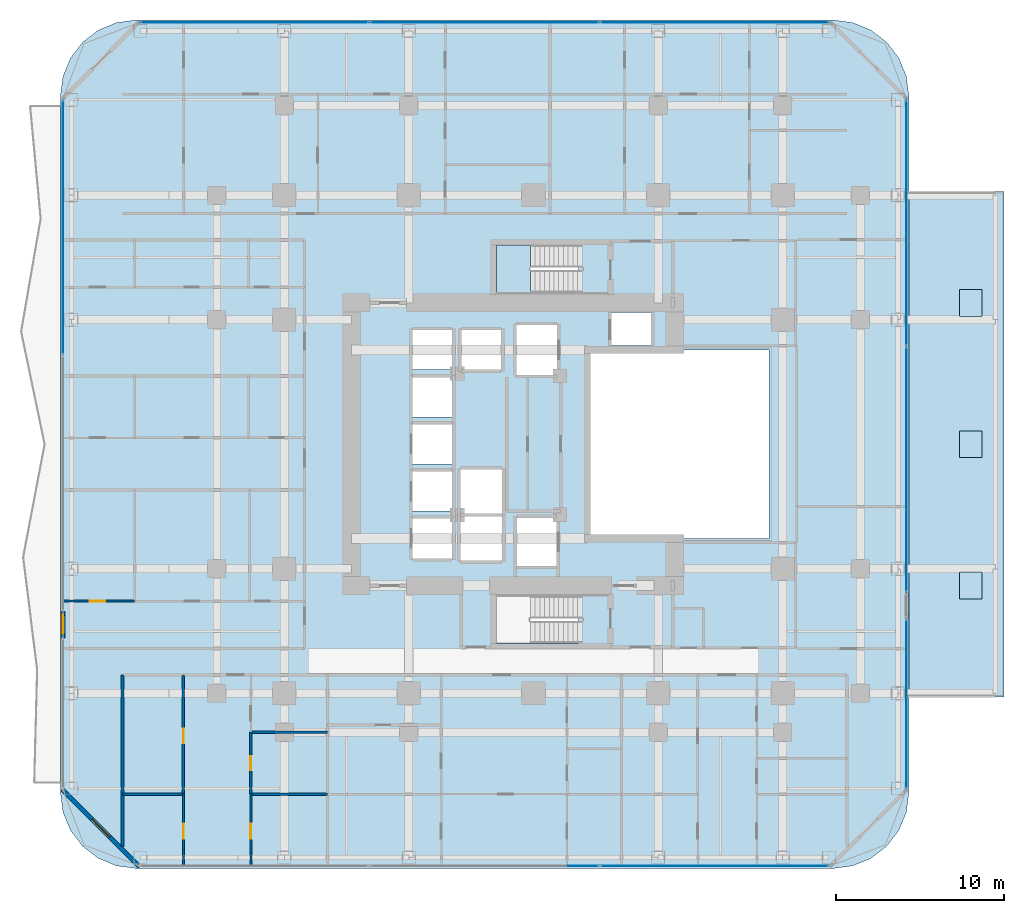
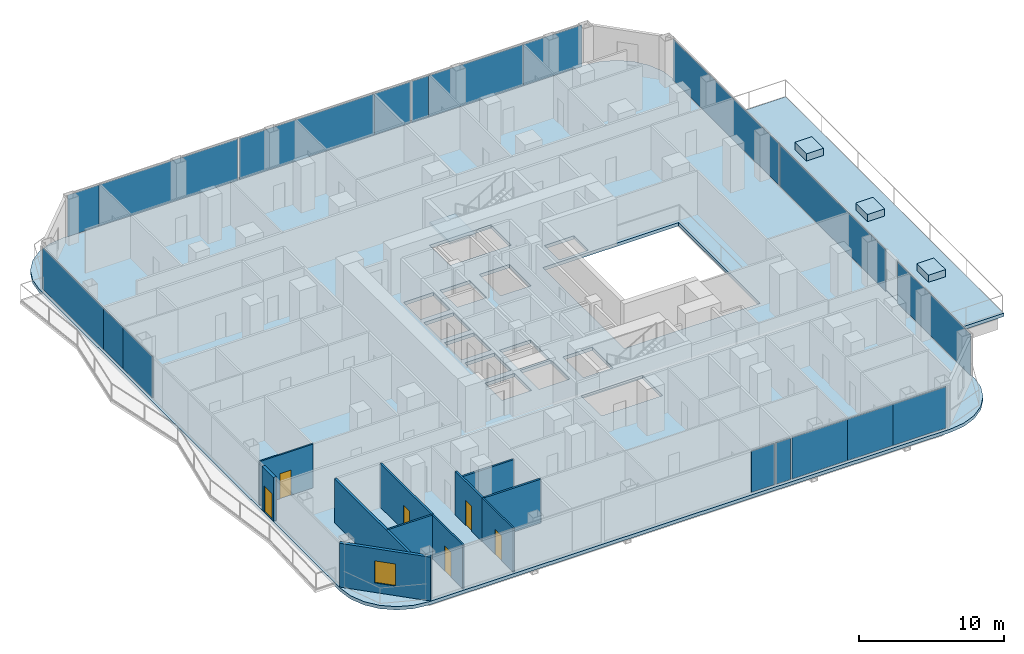
# One storey, part 19 of 29: 18 plates, 11 walls, 6 doors, 6 slabs, 1 window, 7 openings, 6 elements without a shape of their own.
"""IFC4 building model written with IfcOpenShell, lengths in metres."""

from ifc_helpers import new_model, si_unit, direction, frame, frame_2d, origin, origin_2d, place, context, subcontext, project, spatial, polyline, rectangle, outline, extrude, material, layer, layer_set, type_object, element, fill, aggregate, save


model = new_model("IFC4")

# Units and contexts
model_context = context("Model", 3, precision=1e-05, world=origin(), true_north=direction((0.0, 1.0)))
body_context = subcontext(model_context, "Body", "Model", "MODEL_VIEW")
ifc_project = project(units=[si_unit("LENGTHUNIT", "METRE"), si_unit("AREAUNIT", "SQUARE_METRE"), si_unit("VOLUMEUNIT", "CUBIC_METRE"), si_unit("PLANEANGLEUNIT", "RADIAN"), si_unit("MASSUNIT", "GRAM", prefix="KILO")], contexts=[model_context])

# Site, building, storey
site_placement = place(None, origin())
site = spatial("IfcSite", under=ifc_project, at=site_placement, CompositionType="ELEMENT")
building_placement = place(site_placement, origin())
building = spatial("IfcBuilding", under=site, at=building_placement, Name="Khorvyn Point Tower", CompositionType="ELEMENT")
storey_placement = place(building_placement, frame((0.0, 0.0, 54.0)))
storey = spatial("IfcBuildingStorey", under=building, at=storey_placement, Name="L14", CompositionType="ELEMENT", Elevation=54.0)

# Slabs
ifc_material_1 = material(Name="Concrete C35/45", Category="concrete")
ifc_layer_1 = layer(ifc_material_1, 0.239990234375)
ifc_layer_set_1 = layer_set([ifc_layer_1], Name="Concrete C35/45 Setback Terrace Roof Slab 240")
slab_type_1 = type_object("IfcSlabType", Name="Concrete C35/45 Setback Terrace Roof Slab 240", PredefinedType="ROOF", material=ifc_layer_set_1)
slab_1_placement = place(storey_placement, frame((0.0, 0.0, -0.280029296875)))
element("IfcSlab", 1, at=slab_1_placement, inside=storey, type_object=slab_type_1, Name="L14 East Jenga Setback Sky-Garden Terrace", PredefinedType="ROOF", context=body_context, shape_type="SweptSolid", body=[
    extrude(outline(polyline([(22.320068359375, -15.0), (27.949951171875, -15.0), (27.949951171875, 15.0), (22.320068359375, 15.0), (22.320068359375, -15.0)])), origin(), (0.0, 0.0, 1.0), 0.280029296875),
])
ifc_layer_2 = layer(ifc_material_1, 0.60009765625)
ifc_layer_set_2 = layer_set([ifc_layer_2], Name="Concrete C35/45 Terrace Tree Planter 600")
slab_type_2 = type_object("IfcSlabType", Name="Concrete C35/45 Terrace Tree Planter 600", PredefinedType="USERDEFINED", material=ifc_layer_set_2)
slab_2_placement = place(storey_placement, origin())
element("IfcSlab", 2, at=slab_2_placement, inside=storey, type_object=slab_type_2, Name="L14 Sky-Terrace Structural Tree Planter 1", ObjectType="PLANTER", PredefinedType="USERDEFINED", context=body_context, shape_type="SweptSolid", body=[
    extrude(outline(polyline([(25.304443359375, -9.199951171875), (26.654541015625, -9.199951171875), (26.654541015625, -7.60009765625), (25.304443359375, -7.60009765625), (25.304443359375, -9.199951171875)])), origin(), (0.0, 0.0, 1.0), 0.60009765625),
])
slab_3_placement = place(storey_placement, origin())
element("IfcSlab", 3, at=slab_3_placement, inside=storey, type_object=slab_type_2, Name="L14 Sky-Terrace Structural Tree Planter 2", ObjectType="PLANTER", PredefinedType="USERDEFINED", context=body_context, shape_type="SweptSolid", body=[
    extrude(outline(polyline([(25.304443359375, -0.800048828125), (26.654541015625, -0.800048828125), (26.654541015625, 0.800048828125), (25.304443359375, 0.800048828125), (25.304443359375, -0.800048828125)])), origin(), (0.0, 0.0, 1.0), 0.60009765625),
])
slab_4_placement = place(storey_placement, origin())
element("IfcSlab", 4, at=slab_4_placement, inside=storey, type_object=slab_type_2, Name="L14 Sky-Terrace Structural Tree Planter 3", ObjectType="PLANTER", PredefinedType="USERDEFINED", context=body_context, shape_type="SweptSolid", body=[
    extrude(outline(polyline([(25.304443359375, 7.60009765625), (26.654541015625, 7.60009765625), (26.654541015625, 9.199951171875), (25.304443359375, 9.199951171875), (25.304443359375, 7.60009765625)])), origin(), (0.0, 0.0, 1.0), 0.60009765625),
])

# Stair, slab
ifc_material_2 = material(Name="Concrete C40/50", Category="concrete")
stair_type = type_object("IfcStairType", Name="Tower Concrete C40/50 Dogleg Exit Stair", PredefinedType="HALF_TURN_STAIR", material=ifc_material_2)
stair_placement = place(storey_placement, origin())
stair = element("IfcStair", 5, at=stair_placement, inside=storey, type_object=stair_type, Name="L14 Tower Smokeproof Exit Stair North", PredefinedType="HALF_TURN_STAIR")
ifc_layer_3 = layer(ifc_material_2, 0.199951171875)
ifc_layer_set_3 = layer_set([ifc_layer_3], Name="Concrete C40/50 Stair Landing Slab 200")
slab_type_3 = type_object("IfcSlabType", Name="Concrete C40/50 Stair Landing Slab 200", PredefinedType="LANDING", material=ifc_layer_set_3)
slab_5_placement = place(storey_placement, frame((0.0, 0.0, 1.75)))
slab_5 = element("IfcSlab", 6, at=slab_5_placement, type_object=slab_type_3, Name="ST-02 landing 1", PredefinedType="LANDING", context=body_context, shape_type="SweptSolid", body=[
    extrude(outline(polyline([(-0.179931640625, 11.820068359375), (-2.199951171875, 11.820068359375), (-2.199951171875, 9.02001953125), (-0.179931640625, 9.02001953125), (-0.179931640625, 11.820068359375)])), origin(), (0.0, 0.0, 1.0), 0.199951171875),
])
aggregate(stair, [slab_5])

# Slab
ifc_layer_4 = layer(ifc_material_2, 0.280029296875)
ifc_layer_set_4 = layer_set([ifc_layer_4], Name="Concrete C40/50 Structural Floor Slab 280")
slab_type_4 = type_object("IfcSlabType", Name="Concrete C40/50 Structural Floor Slab 280", PredefinedType="FLOOR", material=ifc_layer_set_4)
slab_6_placement = place(storey_placement, frame((0.0, 0.0, -0.280029296875)))
element("IfcSlab", 7, at=slab_6_placement, inside=storey, type_object=slab_type_4, Name="L14 Main Structural Floor Slab", PredefinedType="FLOOR", context=body_context, shape_type="SweptSolid", body=[
    extrude(outline(polyline([(-23.60009765625, -25.199951171875), (-24.7646484375, -25.046630859375), (-25.85009765625, -24.59716796875), (-26.781982421875, -23.882080078125), (-27.4970703125, -22.949951171875), (-27.94677734375, -21.86474609375), (-28.10009765625, -20.699951171875), (-28.10009765625, 20.699951171875), (-27.94677734375, 21.86474609375), (-27.4970703125, 22.949951171875), (-26.781982421875, 23.882080078125), (-25.85009765625, 24.59716796875), (-24.7646484375, 25.046630859375), (-23.60009765625, 25.199951171875), (17.800048828125, 25.199951171875), (18.964599609375, 25.046630859375), (20.050048828125, 24.59716796875), (20.98193359375, 23.882080078125), (21.697021484375, 22.949951171875), (22.146728515625, 21.86474609375), (22.300048828125, 20.699951171875), (22.300048828125, -20.699951171875), (22.146728515625, -21.86474609375), (21.697021484375, -22.949951171875), (20.98193359375, -23.882080078125), (20.050048828125, -24.59716796875), (18.964599609375, -25.046630859375), (17.800048828125, -25.199951171875), (-23.60009765625, -25.199951171875)]), holes=[polyline([(-4.824951171875, -6.77490234375), (-4.824951171875, -4.425048828125), (-7.175048828125, -4.425048828125), (-7.175048828125, -6.77490234375), (-4.824951171875, -6.77490234375)]), polyline([(-4.324951171875, -6.89990234375), (-1.875, -6.89990234375), (-1.875, -4.300048828125), (-4.324951171875, -4.300048828125), (-4.324951171875, -6.89990234375)]), polyline([(-7.175048828125, -3.97509765625), (-4.824951171875, -3.97509765625), (-4.824951171875, -1.625), (-7.175048828125, -1.625), (-7.175048828125, -3.97509765625)]), polyline([(-7.175048828125, -1.175048828125), (-4.824951171875, -1.175048828125), (-4.824951171875, 1.175048828125), (-7.175048828125, 1.175048828125), (-7.175048828125, -1.175048828125)]), polyline([(-7.175048828125, 1.625), (-4.824951171875, 1.625), (-4.824951171875, 3.97509765625), (-7.175048828125, 3.97509765625), (-7.175048828125, 1.625)]), polyline([(-7.175048828125, 4.425048828125), (-4.824951171875, 4.425048828125), (-4.824951171875, 6.77490234375), (-7.175048828125, 6.77490234375), (-7.175048828125, 4.425048828125)]), polyline([(-4.27490234375, 4.425048828125), (-1.925048828125, 4.425048828125), (-1.925048828125, 6.77490234375), (-4.27490234375, 6.77490234375), (-4.27490234375, 4.425048828125)]), polyline([(2.679931640625, -11.820068359375), (2.679931640625, -9.02001953125), (-2.199951171875, -9.02001953125), (-2.199951171875, -11.820068359375), (2.679931640625, -11.820068359375)]), polyline([(-0.97509765625, -7.22509765625), (1.375, -7.22509765625), (1.375, -4.375), (-0.97509765625, -4.375), (-0.97509765625, -7.22509765625)]), polyline([(-4.324951171875, -4.10009765625), (-1.875, -4.10009765625), (-1.875, -1.5), (-4.324951171875, -1.5), (-4.324951171875, -4.10009765625)]), polyline([(3.199951171875, -5.60009765625), (14.0, -5.60009765625), (14.0, 5.60009765625), (3.199951171875, 5.60009765625), (3.199951171875, -5.60009765625)]), polyline([(-1.0, 4.125), (1.39990234375, 4.125), (1.39990234375, 7.074951171875), (-1.0, 7.074951171875), (-1.0, 4.125)]), polyline([(4.625, 5.85009765625), (6.97509765625, 5.85009765625), (6.97509765625, 7.830078125), (4.625, 7.830078125), (4.625, 5.85009765625)]), polyline([(-2.199951171875, 9.02001953125), (2.679931640625, 9.02001953125), (2.679931640625, 11.820068359375), (-2.199951171875, 11.820068359375), (-2.199951171875, 9.02001953125)])]), origin(), (0.0, 0.0, 1.0), 0.280029296875),
])

# Curtain wall, plates
ifc_material_3 = material(Name="Anodised aluminium 6063-T6 and laminated Low-E glass", Category="aluminium")
ifc_layer_5 = layer(ifc_material_3, 0.18994140625)
ifc_layer_set_5 = layer_set([ifc_layer_5], Name="Stick-Built Finned Residential Curtain Wall CW-SYS-02")
curtain_wall_type = type_object("IfcCurtainWallType", Name="Stick-Built Finned Residential Curtain Wall CW-SYS-02", PredefinedType="NOTDEFINED", material=ifc_layer_set_5)
curtain_wall_1_placement = place(storey_placement, origin())
curtain_wall_1 = element("IfcCurtainWall", 8, at=curtain_wall_1_placement, inside=storey, type_object=curtain_wall_type, Name="Curtain Wall", PredefinedType="NOTDEFINED")
ifc_material_4 = material(Name="Laminated Low-E insulated glass", Category="glass")
ifc_layer_6 = layer(ifc_material_4, 0.028076171875)
ifc_layer_set_6 = layer_set([ifc_layer_6], Name="Tempered Low-E Vision Glazing Panel CW-GL28")
plate_type = type_object("IfcPlateType", Name="Tempered Low-E Vision Glazing Panel CW-GL28", PredefinedType="CURTAIN_PANEL", material=ifc_layer_set_6)
plate_1_placement = place(storey_placement, frame((4.591064453125, -25.050048828125, 0.10009765625), z_axis=(0.0, 0.0, 1.0), x_axis=(-1.0, 0.0, 0.0)))
plate_1 = element("IfcPlate", 9, at=plate_1_placement, type_object=plate_type, Name="Panel", PredefinedType="CURTAIN_PANEL", context=body_context, shape_type="SweptSolid", body=[
    extrude(rectangle(XDim=1.174072265625, YDim=0.028076171875, at=origin_2d()), origin(), (0.0, 0.0, 1.0), 3.47998046875),
])
plate_2_placement = place(storey_placement, frame((7.5029296875, -25.050048828125, 0.10009765625), z_axis=(0.0, 0.0, 1.0), x_axis=(-1.0, 0.0, 0.0)))
plate_2 = element("IfcPlate", 10, at=plate_2_placement, type_object=plate_type, Name="Panel", PredefinedType="CURTAIN_PANEL", context=body_context, shape_type="SweptSolid", body=[
    extrude(rectangle(XDim=4.39404296875, YDim=0.028076171875, at=origin_2d()), origin(), (0.0, 0.0, 1.0), 3.47998046875),
])
plate_3_placement = place(storey_placement, frame((11.5166015625, -25.050048828125, 0.10009765625), z_axis=(0.0, 0.0, 1.0), x_axis=(-1.0, 0.0, 0.0)))
plate_3 = element("IfcPlate", 11, at=plate_3_placement, type_object=plate_type, Name="Panel", PredefinedType="CURTAIN_PANEL", context=body_context, shape_type="SweptSolid", body=[
    extrude(rectangle(XDim=3.616943359375, YDim=0.028076171875, at=origin_2d()), origin(), (0.0, 0.0, 1.0), 3.47998046875),
])
plate_4_placement = place(storey_placement, frame((15.439453125, -25.050048828125, 0.10009765625), z_axis=(0.0, 0.0, 1.0), x_axis=(-1.0, 0.0, 0.0)))
plate_4 = element("IfcPlate", 12, at=plate_4_placement, type_object=plate_type, Name="Panel", PredefinedType="CURTAIN_PANEL", context=body_context, shape_type="SweptSolid", body=[
    extrude(rectangle(XDim=4.212890625, YDim=0.028076171875, at=origin_2d()), origin(), (0.0, 0.0, 1.0), 3.47998046875),
])
plate_5_placement = place(storey_placement, frame((2.97705078125, -25.050048828125, 0.10009765625), z_axis=(0.0, 0.0, 1.0), x_axis=(-1.0, 0.0, 0.0)))
plate_5 = element("IfcPlate", 13, at=plate_5_placement, type_object=plate_type, Name="Panel", PredefinedType="CURTAIN_PANEL", context=body_context, shape_type="SweptSolid", body=[
    extrude(rectangle(XDim=1.837890625, YDim=0.028076171875, at=origin_2d()), origin(), (0.0, 0.0, 1.0), 3.47998046875),
])
aggregate(curtain_wall_1, [plate_1, plate_2, plate_3, plate_4, plate_5])

curtain_wall_2_placement = place(storey_placement, origin())
curtain_wall_2 = element("IfcCurtainWall", 14, at=curtain_wall_2_placement, inside=storey, type_object=curtain_wall_type, Name="Curtain Wall", PredefinedType="NOTDEFINED")
plate_6_placement = place(storey_placement, frame((-22.093017578125, 25.050048828125, 0.10009765625), z_axis=(0.0, 0.0, 1.0), x_axis=(1.0, 0.0, 0.0)))
plate_6 = element("IfcPlate", 15, at=plate_6_placement, type_object=plate_type, Name="Panel", PredefinedType="CURTAIN_PANEL", context=body_context, shape_type="SweptSolid", body=[
    extrude(rectangle(XDim=2.506103515625, YDim=0.028076171875, at=origin_2d()), origin(), (0.0, 0.0, 1.0), 3.47998046875),
])
plate_7_placement = place(storey_placement, frame((-15.318115234375, 25.050048828125, 0.10009765625), z_axis=(0.0, 0.0, 1.0), x_axis=(1.0, 0.0, 0.0)))
plate_7 = element("IfcPlate", 16, at=plate_7_placement, type_object=plate_type, Name="Panel", PredefinedType="CURTAIN_PANEL", context=body_context, shape_type="SweptSolid", body=[
    extrude(rectangle(XDim=11.028076171875, YDim=0.028076171875, at=origin_2d()), origin(), (0.0, 0.0, 1.0), 3.47998046875),
])
plate_8_placement = place(storey_placement, frame((-4.3330078125, 25.050048828125, 0.10009765625), z_axis=(0.0, 0.0, 1.0), x_axis=(1.0, 0.0, 0.0)))
plate_8 = element("IfcPlate", 17, at=plate_8_placement, type_object=plate_type, Name="Panel", PredefinedType="CURTAIN_PANEL", context=body_context, shape_type="SweptSolid", body=[
    extrude(rectangle(XDim=10.72607421875, YDim=0.028076171875, at=origin_2d()), origin(), (0.0, 0.0, 1.0), 3.47998046875),
])
plate_9_placement = place(storey_placement, frame((2.467041015625, 25.050048828125, 0.10009765625), z_axis=(0.0, 0.0, 1.0), x_axis=(1.0, 0.0, 0.0)))
plate_9 = element("IfcPlate", 18, at=plate_9_placement, type_object=plate_type, Name="Panel", PredefinedType="CURTAIN_PANEL", context=body_context, shape_type="SweptSolid", body=[
    extrude(rectangle(XDim=2.85791015625, YDim=0.028076171875, at=origin_2d()), origin(), (0.0, 0.0, 1.0), 3.47998046875),
])
plate_10_placement = place(storey_placement, frame((4.676025390625, 25.050048828125, 0.10009765625), z_axis=(0.0, 0.0, 1.0), x_axis=(1.0, 0.0, 0.0)))
plate_10 = element("IfcPlate", 19, at=plate_10_placement, type_object=plate_type, Name="Panel", PredefinedType="CURTAIN_PANEL", context=body_context, shape_type="SweptSolid", body=[
    extrude(rectangle(XDim=1.343994140625, YDim=0.028076171875, at=origin_2d()), origin(), (0.0, 0.0, 1.0), 3.47998046875),
])
plate_11_placement = place(storey_placement, frame((9.1220703125, 25.050048828125, 0.10009765625), z_axis=(0.0, 0.0, 1.0), x_axis=(1.0, 0.0, 0.0)))
plate_11 = element("IfcPlate", 20, at=plate_11_placement, type_object=plate_type, Name="Panel", PredefinedType="CURTAIN_PANEL", context=body_context, shape_type="SweptSolid", body=[
    extrude(rectangle(XDim=7.531982421875, YDim=0.028076171875, at=origin_2d()), origin(), (0.0, 0.0, 1.0), 3.47998046875),
])
plate_12_placement = place(storey_placement, frame((15.220947265625, 25.050048828125, 0.10009765625), z_axis=(0.0, 0.0, 1.0), x_axis=(1.0, 0.0, 0.0)))
plate_12 = element("IfcPlate", 21, at=plate_12_placement, type_object=plate_type, Name="Panel", PredefinedType="CURTAIN_PANEL", context=body_context, shape_type="SweptSolid", body=[
    extrude(rectangle(XDim=4.64990234375, YDim=0.028076171875, at=origin_2d()), origin(), (0.0, 0.0, 1.0), 3.47998046875),
])
aggregate(curtain_wall_2, [plate_6, plate_7, plate_8, plate_9, plate_10, plate_11, plate_12])

curtain_wall_3_placement = place(storey_placement, origin())
curtain_wall_3 = element("IfcCurtainWall", 22, at=curtain_wall_3_placement, inside=storey, type_object=curtain_wall_type, Name="Curtain Wall", PredefinedType="NOTDEFINED")
plate_13_placement = place(storey_placement, frame((-27.949951171875, 7.3525390625, 0.10009765625), z_axis=(0.0, 0.0, 1.0), x_axis=(0.0, 1.0, 0.0)))
plate_13 = element("IfcPlate", 23, at=plate_13_placement, type_object=plate_type, Name="Panel", PredefinedType="CURTAIN_PANEL", context=body_context, shape_type="SweptSolid", body=[
    extrude(rectangle(XDim=4.047119140625, YDim=0.028076171875, at=origin_2d()), origin(), (0.0, 0.0, 1.0), 3.47998046875),
])
plate_14_placement = place(storey_placement, frame((-27.949951171875, 10.719970703125, 0.10009765625), z_axis=(0.0, 0.0, 1.0), x_axis=(0.0, 1.0, 0.0)))
plate_14 = element("IfcPlate", 24, at=plate_14_placement, type_object=plate_type, Name="Panel", PredefinedType="CURTAIN_PANEL", context=body_context, shape_type="SweptSolid", body=[
    extrude(rectangle(XDim=2.672119140625, YDim=0.028076171875, at=origin_2d()), origin(), (0.0, 0.0, 1.0), 3.47998046875),
])
plate_15_placement = place(storey_placement, frame((-27.949951171875, 16.2548828125, 0.10009765625), z_axis=(0.0, 0.0, 1.0), x_axis=(0.0, 1.0, 0.0)))
plate_15 = element("IfcPlate", 25, at=plate_15_placement, type_object=plate_type, Name="Panel", PredefinedType="CURTAIN_PANEL", context=body_context, shape_type="SweptSolid", body=[
    extrude(rectangle(XDim=8.382080078125, YDim=0.028076171875, at=origin_2d()), origin(), (0.0, 0.0, 1.0), 3.47998046875),
])
aggregate(curtain_wall_3, [plate_13, plate_14, plate_15])

curtain_wall_4_placement = place(storey_placement, origin())
curtain_wall_4 = element("IfcCurtainWall", 26, at=curtain_wall_4_placement, inside=storey, type_object=curtain_wall_type, Name="Curtain Wall", PredefinedType="NOTDEFINED")
plate_16_placement = place(storey_placement, frame((22.14990234375, 13.166259765625, 0.10009765625), z_axis=(0.0, 0.0, 1.0), x_axis=(0.0, -1.0, 0.0)))
plate_16 = element("IfcPlate", 27, at=plate_16_placement, type_object=plate_type, Name="Panel", PredefinedType="CURTAIN_PANEL", context=body_context, shape_type="SweptSolid", body=[
    extrude(rectangle(XDim=14.5673828125, YDim=0.028076171875, at=origin_2d()), origin(), (0.0, 0.0, 1.0), 3.47998046875),
])
plate_17_placement = place(storey_placement, frame((22.14990234375, -1.501220703125, 0.10009765625), z_axis=(0.0, 0.0, 1.0), x_axis=(0.0, -1.0, 0.0)))
plate_17 = element("IfcPlate", 28, at=plate_17_placement, type_object=plate_type, Name="Panel", PredefinedType="CURTAIN_PANEL", context=body_context, shape_type="SweptSolid", body=[
    extrude(rectangle(XDim=14.5673828125, YDim=0.028076171875, at=origin_2d()), origin(), (0.0, 0.0, 1.0), 3.47998046875),
])
aggregate(curtain_wall_4, [plate_16, plate_17])

# Curtain wall, plate
curtain_wall_5_placement = place(storey_placement, origin())
curtain_wall_5 = element("IfcCurtainWall", 29, at=curtain_wall_5_placement, inside=storey, type_object=curtain_wall_type, Name="Curtain Wall", PredefinedType="NOTDEFINED")
plate_18_placement = place(storey_placement, frame((22.14990234375, -15.4375, 0.10009765625), z_axis=(0.0, 0.0, 1.0), x_axis=(0.0, -1.0, 0.0)))
plate_18 = element("IfcPlate", 30, at=plate_18_placement, type_object=plate_type, Name="Panel", PredefinedType="CURTAIN_PANEL", context=body_context, shape_type="SweptSolid", body=[
    extrude(rectangle(XDim=10.02490234375, YDim=0.028076171875, at=origin_2d()), origin(), (0.0, 0.0, 1.0), 3.47998046875),
])
aggregate(curtain_wall_5, [plate_18])

# Wall
ifc_material_5 = material(Name="Double acoustic gypsum on twin steel stud", Category="steel")
ifc_layer_7 = layer(ifc_material_5, 0.179931640625)
ifc_layer_set_7 = layer_set([ifc_layer_7], Name="Acoustic Double-Stud Apartment Demising Wall 180")
wall_type_1 = type_object("IfcWallType", Name="Acoustic Double-Stud Apartment Demising Wall 180", PredefinedType="PARTITIONING", material=ifc_layer_set_7)
wall_1_placement = place(storey_placement, frame((-24.419921875, -23.909912109375, 0.0), z_axis=(0.0, 0.0, 1.0), x_axis=(0.0, 1.0, 0.0)))
element("IfcWall", 31, at=wall_1_placement, inside=storey, type_object=wall_type_1, Name="Wall", PredefinedType="PARTITIONING", context=body_context, shape_type="SweptSolid", body=[
    extrude(rectangle(XDim=10.2099609375, YDim=0.179931640625, at=frame_2d((5.10498046875, 0.0))), origin(), (0.0, 0.0, 1.0), 3.679931640625),
])

# Wall, opening, door
ifc_material_6 = material(Name="Pale anodised aluminium rainscreen on steel stud", Category="steel")
ifc_layer_8 = layer(ifc_material_6, 0.239990234375)
ifc_layer_set_8 = layer_set([ifc_layer_8], Name="Anodised Aluminium Insulated Corner Spandrel Wall 240")
wall_type_2 = type_object("IfcWallType", Name="Anodised Aluminium Insulated Corner Spandrel Wall 240", PredefinedType="SOLIDWALL", material=ifc_layer_set_8)
wall_2_placement = place(storey_placement, frame((-27.949951171875, -11.510009765625, 0.0), z_axis=(0.0, 0.0, 1.0), x_axis=(0.0, 1.0, 0.0)))
wall_2 = element("IfcWall", 32, at=wall_2_placement, inside=storey, type_object=wall_type_2, Name="L14 West Outdoor Threshold Wall", PredefinedType="SOLIDWALL", context=body_context, shape_type="SweptSolid", body=[
    extrude(rectangle(XDim=1.580078125, YDim=0.239990234375, at=frame_2d((0.7900390625, 0.0))), origin(), (0.0, 0.0, 1.0), 3.679931640625),
])
opening_1_placement = place(wall_2_placement, frame((0.239990234375, 0.0, 0.0)))
opening_1 = element("IfcOpeningElement", 33, at=opening_1_placement, cuts=wall_2, Name="Opening BD-1122", PredefinedType="OPENING", context=body_context, shape_type="SweptSolid", body=[
    extrude(rectangle(XDim=1.10009765625, YDim=2.199951171875, at=frame_2d((0.550048828125, 1.10009765625))), frame((0.0, 0.1298828125, 0.0), z_axis=(0.0, -1.0, 0.0), x_axis=(1.0, 0.0, 0.0)), (0.0, 0.0, 1.0), 0.260009765625),
])
door_type_1 = type_object("IfcDoorType", Name="Glazed Balcony and Terrace Threshold Door 1100x2200", OperationType="NOTDEFINED", PredefinedType="DOOR", material=ifc_material_3)
door_1_placement = place(opening_1_placement, origin())
door_1 = element("IfcDoor", 34, at=door_1_placement, inside=storey, type_object=door_type_1, Name="L14 West Glazed Balcony Outdoor Door", OperationType="SINGLE_SWING_RIGHT", OverallHeight=2.199951171875, OverallWidth=1.10009765625, PredefinedType="DOOR", context=body_context, shape_type="SweptSolid", body=[
    extrude(rectangle(XDim=1.10009765625, YDim=2.199951171875, at=frame_2d((0.550048828125, 1.10009765625))), frame((0.0, 0.02490234375, 0.0), z_axis=(0.0, -1.0, 0.0), x_axis=(1.0, 0.0, 0.0)), (0.0, 0.0, 1.0), 0.050048828125),
])
fill(opening_1, door_1)

# Wall, opening, window
wall_3_placement = place(storey_placement, frame((-23.40771484375, -25.09228515625, 0.0), z_axis=(0.0, 0.0, 1.0), x_axis=(-0.707106781187, 0.707106781187, 0.0)))
wall_3 = element("IfcWall", 35, at=wall_3_placement, inside=storey, type_object=wall_type_2, Name="L14 Rounded Corner Wall SW", PredefinedType="SOLIDWALL", context=body_context, shape_type="SweptSolid", body=[
    extrude(rectangle(XDim=6.48388671875, YDim=0.239990234375, at=frame_2d((3.241943359375, 0.0))), origin(), (0.0, 0.0, 1.0), 3.679931640625),
])
opening_2_placement = place(wall_3_placement, frame((2.491943359375, 0.0, 0.800048828125)))
opening_2 = element("IfcOpeningElement", 36, at=opening_2_placement, cuts=wall_3, Name="Opening WN-1518", PredefinedType="OPENING", context=body_context, shape_type="SweptSolid", body=[
    extrude(rectangle(XDim=1.5, YDim=1.85009765625, at=frame_2d((0.75, 0.925048828125))), frame((0.0, 0.1298828125, 0.0), z_axis=(0.0, -1.0, 0.0), x_axis=(1.0, 0.0, 0.0)), (0.0, 0.0, 1.0), 0.260009765625),
])
window_type = type_object("IfcWindowType", Name="Anodised Aluminium Rounded-Corner Panoramic Window 1500x1850", PartitioningType="SINGLE_PANEL", PredefinedType="WINDOW", material=ifc_material_3)
window_placement = place(opening_2_placement, origin())
window = element("IfcWindow", 37, at=window_placement, inside=storey, type_object=window_type, Name="L14 Corner Panoramic Window SW", OverallHeight=1.85009765625, OverallWidth=1.5, PartitioningType="SINGLE_PANEL", PredefinedType="WINDOW", context=body_context, shape_type="SweptSolid", body=[
    extrude(rectangle(XDim=1.5, YDim=1.85009765625, at=frame_2d((0.75, 0.925048828125))), frame((0.0, 0.030029296875, 0.0), z_axis=(0.0, -1.0, 0.0), x_axis=(1.0, 0.0, 0.0)), (0.0, 0.0, 1.0), 0.06005859375),
])
fill(opening_2, window)

# Wall, opening, door
ifc_material_7 = material(Name="Gypsum plasterboard on steel stud", Category="steel")
ifc_layer_9 = layer(ifc_material_7, 0.1201171875)
ifc_layer_set_9 = layer_set([ifc_layer_9], Name="Gypsum Acoustic Stud Room Partition Wall 120")
wall_type_3 = type_object("IfcWallType", Name="Gypsum Acoustic Stud Room Partition Wall 120", PredefinedType="PARTITIONING", material=ifc_layer_set_9)
wall_4_placement = place(storey_placement, frame((-20.7900390625, -25.030029296875, 0.0), z_axis=(0.0, 0.0, 1.0), x_axis=(0.0, 1.0, 0.0)))
wall_4 = element("IfcWall", 38, at=wall_4_placement, inside=storey, type_object=wall_type_3, Name="Wall", PredefinedType="PARTITIONING", context=body_context, shape_type="SweptSolid", body=[
    extrude(rectangle(XDim=4.239990234375, YDim=0.1201171875, at=frame_2d((2.1201171875, 0.0))), origin(), (0.0, 0.0, 1.0), 3.679931640625),
])
opening_3_placement = place(wall_4_placement, frame((1.581298828125, 0.0, 0.0)))
opening_3 = element("IfcOpeningElement", 39, at=opening_3_placement, cuts=wall_4, Name="Opening ID-RM90", PredefinedType="OPENING", context=body_context, shape_type="SweptSolid", body=[
    extrude(rectangle(XDim=0.89990234375, YDim=2.10009765625, at=frame_2d((0.449951171875, 1.050048828125))), frame((0.0, 0.070068359375, 0.0), z_axis=(0.0, -1.0, 0.0), x_axis=(1.0, 0.0, 0.0)), (0.0, 0.0, 1.0), 0.14013671875),
])
ifc_material_8 = material(Name="Engineered oak veneer timber", Category="wood")
door_type_2 = type_object("IfcDoorType", Name="Flush Engineered Timber Room Door 900x2100", OperationType="NOTDEFINED", PredefinedType="DOOR", material=ifc_material_8)
door_2_placement = place(opening_3_placement, origin())
door_2 = element("IfcDoor", 40, at=door_2_placement, inside=storey, type_object=door_type_2, Name="Door", OperationType="SINGLE_SWING_RIGHT", OverallHeight=2.10009765625, OverallWidth=0.89990234375, PredefinedType="DOOR", context=body_context, shape_type="SweptSolid", body=[
    extrude(rectangle(XDim=0.89990234375, YDim=2.10009765625, at=frame_2d((0.449951171875, 1.050048828125))), frame((0.0, 0.02490234375, 0.0), z_axis=(0.0, -1.0, 0.0), x_axis=(1.0, 0.0, 0.0)), (0.0, 0.0, 1.0), 0.050048828125),
])
fill(opening_3, door_2)

wall_5_placement = place(storey_placement, frame((-16.791015625, -25.030029296875, 0.0), z_axis=(0.0, 0.0, 1.0), x_axis=(0.0, 1.0, 0.0)))
wall_5 = element("IfcWall", 41, at=wall_5_placement, inside=storey, type_object=wall_type_3, Name="Wall", PredefinedType="PARTITIONING", context=body_context, shape_type="SweptSolid", body=[
    extrude(rectangle(XDim=4.239990234375, YDim=0.1201171875, at=frame_2d((2.1201171875, 0.0))), origin(), (0.0, 0.0, 1.0), 3.679931640625),
])
opening_4_placement = place(wall_5_placement, frame((1.581298828125, 0.0, 0.0)))
opening_4 = element("IfcOpeningElement", 42, at=opening_4_placement, cuts=wall_5, Name="Opening ID-RM90", PredefinedType="OPENING", context=body_context, shape_type="SweptSolid", body=[
    extrude(rectangle(XDim=0.89990234375, YDim=2.10009765625, at=frame_2d((0.449951171875, 1.050048828125))), frame((0.0, 0.070068359375, 0.0), z_axis=(0.0, -1.0, 0.0), x_axis=(1.0, 0.0, 0.0)), (0.0, 0.0, 1.0), 0.14013671875),
])
door_3_placement = place(opening_4_placement, origin())
door_3 = element("IfcDoor", 43, at=door_3_placement, inside=storey, type_object=door_type_2, Name="Door", OperationType="SINGLE_SWING_LEFT", OverallHeight=2.10009765625, OverallWidth=0.89990234375, PredefinedType="DOOR", context=body_context, shape_type="SweptSolid", body=[
    extrude(rectangle(XDim=0.89990234375, YDim=2.10009765625, at=frame_2d((0.449951171875, 1.050048828125))), frame((0.0, 0.02490234375, 0.0), z_axis=(0.0, -1.0, 0.0), x_axis=(1.0, 0.0, 0.0)), (0.0, 0.0, 1.0), 0.050048828125),
])
fill(opening_4, door_3)

wall_6_placement = place(storey_placement, frame((-27.929931640625, -9.320068359375, 0.0), z_axis=(0.0, 0.0, 1.0), x_axis=(1.0, 0.0, 0.0)))
wall_6 = element("IfcWall", 44, at=wall_6_placement, inside=storey, type_object=wall_type_3, Name="Wall", PredefinedType="PARTITIONING", context=body_context, shape_type="SweptSolid", body=[
    extrude(rectangle(XDim=4.239990234375, YDim=0.1201171875, at=frame_2d((2.1201171875, 0.0))), origin(), (0.0, 0.0, 1.0), 3.679931640625),
])
opening_5_placement = place(wall_6_placement, frame((1.581298828125, 0.0, 0.0)))
opening_5 = element("IfcOpeningElement", 45, at=opening_5_placement, cuts=wall_6, Name="Opening ID-RM90", PredefinedType="OPENING", context=body_context, shape_type="SweptSolid", body=[
    extrude(rectangle(XDim=0.89990234375, YDim=2.10009765625, at=frame_2d((0.449951171875, 1.050048828125))), frame((0.0, 0.070068359375, 0.0), z_axis=(0.0, -1.0, 0.0), x_axis=(1.0, 0.0, 0.0)), (0.0, 0.0, 1.0), 0.14013671875),
])
door_4_placement = place(opening_5_placement, origin())
door_4 = element("IfcDoor", 46, at=door_4_placement, inside=storey, type_object=door_type_2, Name="Door", OperationType="SINGLE_SWING_LEFT", OverallHeight=2.10009765625, OverallWidth=0.89990234375, PredefinedType="DOOR", context=body_context, shape_type="SweptSolid", body=[
    extrude(rectangle(XDim=0.89990234375, YDim=2.10009765625, at=frame_2d((0.449951171875, 1.050048828125))), frame((0.0, 0.02490234375, 0.0), z_axis=(0.0, -1.0, 0.0), x_axis=(1.0, 0.0, 0.0)), (0.0, 0.0, 1.0), 0.050048828125),
])
fill(opening_5, door_4)

ifc_material_9 = material(Name="Moisture-resistant gypsum and cement board", Category="gypsum")
ifc_layer_10 = layer(ifc_material_9, 0.14990234375)
ifc_layer_set_10 = layer_set([ifc_layer_10], Name="Moisture-Resistant Wet-Room Partition Wall 150")
wall_type_4 = type_object("IfcWallType", Name="Moisture-Resistant Wet-Room Partition Wall 150", PredefinedType="PARTITIONING", material=ifc_layer_set_10)
wall_7_placement = place(storey_placement, frame((-20.7900390625, -20.7900390625, 0.0), z_axis=(0.0, 0.0, 1.0), x_axis=(0.0, 1.0, 0.0)))
wall_7 = element("IfcWall", 47, at=wall_7_placement, inside=storey, type_object=wall_type_4, Name="Wall", PredefinedType="PARTITIONING", context=body_context, shape_type="SweptSolid", body=[
    extrude(rectangle(XDim=7.090087890625, YDim=0.14990234375, at=frame_2d((3.544921875, 0.0))), origin(), (0.0, 0.0, 1.0), 3.679931640625),
])
opening_6_placement = place(wall_7_placement, frame((3.0302734375, 0.0, 0.0)))
opening_6 = element("IfcOpeningElement", 48, at=opening_6_placement, cuts=wall_7, Name="Opening ID-WC85", PredefinedType="OPENING", context=body_context, shape_type="SweptSolid", body=[
    extrude(rectangle(XDim=0.85009765625, YDim=2.10009765625, at=frame_2d((0.425048828125, 1.050048828125))), frame((0.0, 0.0849609375, 0.0), z_axis=(0.0, -1.0, 0.0), x_axis=(1.0, 0.0, 0.0)), (0.0, 0.0, 1.0), 0.169921875),
])
ifc_material_10 = material(Name="High-pressure laminate on moisture-resistant core", Category="wood")
door_type_3 = type_object("IfcDoorType", Name="Moisture-Resistant Accessible Washroom Door 850x2100", OperationType="NOTDEFINED", PredefinedType="DOOR", material=ifc_material_10)
door_5_placement = place(opening_6_placement, origin())
door_5 = element("IfcDoor", 49, at=door_5_placement, inside=storey, type_object=door_type_3, Name="Door", OperationType="SINGLE_SWING_LEFT", OverallHeight=2.10009765625, OverallWidth=0.85009765625, PredefinedType="DOOR", context=body_context, shape_type="SweptSolid", body=[
    extrude(rectangle(XDim=0.85009765625, YDim=2.10009765625, at=frame_2d((0.425048828125, 1.050048828125))), frame((0.0, 0.02490234375, 0.0), z_axis=(0.0, -1.0, 0.0), x_axis=(1.0, 0.0, 0.0)), (0.0, 0.0, 1.0), 0.050048828125),
])
fill(opening_6, door_5)

wall_8_placement = place(storey_placement, frame((-16.791015625, -20.7900390625, 0.0), z_axis=(0.0, 0.0, 1.0), x_axis=(0.0, 1.0, 0.0)))
wall_8 = element("IfcWall", 50, at=wall_8_placement, inside=storey, type_object=wall_type_4, Name="Wall", PredefinedType="PARTITIONING", context=body_context, shape_type="SweptSolid", body=[
    extrude(rectangle(XDim=3.68994140625, YDim=0.14990234375, at=frame_2d((1.844970703125, 0.0))), origin(), (0.0, 0.0, 1.0), 3.679931640625),
])
opening_7_placement = place(wall_8_placement, frame((1.419921875, 0.0, 0.0)))
opening_7 = element("IfcOpeningElement", 51, at=opening_7_placement, cuts=wall_8, Name="Opening ID-WC85", PredefinedType="OPENING", context=body_context, shape_type="SweptSolid", body=[
    extrude(rectangle(XDim=0.85009765625, YDim=2.10009765625, at=frame_2d((0.425048828125, 1.050048828125))), frame((0.0, 0.0849609375, 0.0), z_axis=(0.0, -1.0, 0.0), x_axis=(1.0, 0.0, 0.0)), (0.0, 0.0, 1.0), 0.169921875),
])
door_6_placement = place(opening_7_placement, origin())
door_6 = element("IfcDoor", 52, at=door_6_placement, inside=storey, type_object=door_type_3, Name="Door", OperationType="SINGLE_SWING_LEFT", OverallHeight=2.10009765625, OverallWidth=0.85009765625, PredefinedType="DOOR", context=body_context, shape_type="SweptSolid", body=[
    extrude(rectangle(XDim=0.85009765625, YDim=2.10009765625, at=frame_2d((0.425048828125, 1.050048828125))), frame((0.0, 0.02490234375, 0.0), z_axis=(0.0, -1.0, 0.0), x_axis=(1.0, 0.0, 0.0)), (0.0, 0.0, 1.0), 0.050048828125),
])
fill(opening_7, door_6)

# Walls
wall_9_placement = place(storey_placement, frame((-24.419921875, -20.7900390625, 0.0), z_axis=(0.0, 0.0, 1.0), x_axis=(1.0, 0.0, 0.0)))
element("IfcWall", 53, at=wall_9_placement, inside=storey, type_object=wall_type_4, Name="Wall", PredefinedType="PARTITIONING", context=body_context, shape_type="SweptSolid", body=[
    extrude(rectangle(XDim=3.6298828125, YDim=0.14990234375, at=frame_2d((1.81494140625, 0.0))), origin(), (0.0, 0.0, 1.0), 3.679931640625),
])
wall_10_placement = place(storey_placement, frame((-16.791015625, -17.10009765625, 0.0), z_axis=(0.0, 0.0, 1.0), x_axis=(1.0, 0.0, 0.0)))
element("IfcWall", 54, at=wall_10_placement, inside=storey, type_object=wall_type_4, Name="Wall", PredefinedType="PARTITIONING", context=body_context, shape_type="SweptSolid", body=[
    extrude(rectangle(XDim=4.56591796875, YDim=0.14990234375, at=frame_2d((2.282958984375, 0.0))), origin(), (0.0, 0.0, 1.0), 3.08203125),
])
wall_11_placement = place(storey_placement, frame((-16.791015625, -20.7900390625, 0.0), z_axis=(0.0, 0.0, 1.0), x_axis=(1.0, 0.0, 0.0)))
element("IfcWall", 55, at=wall_11_placement, inside=storey, type_object=wall_type_4, Name="Wall", PredefinedType="PARTITIONING", context=body_context, shape_type="SweptSolid", body=[
    extrude(rectangle(XDim=4.56591796875, YDim=0.14990234375, at=frame_2d((2.282958984375, 0.0))), origin(), (0.0, 0.0, 1.0), 3.679931640625),
])

save(model, "model.ifc")
